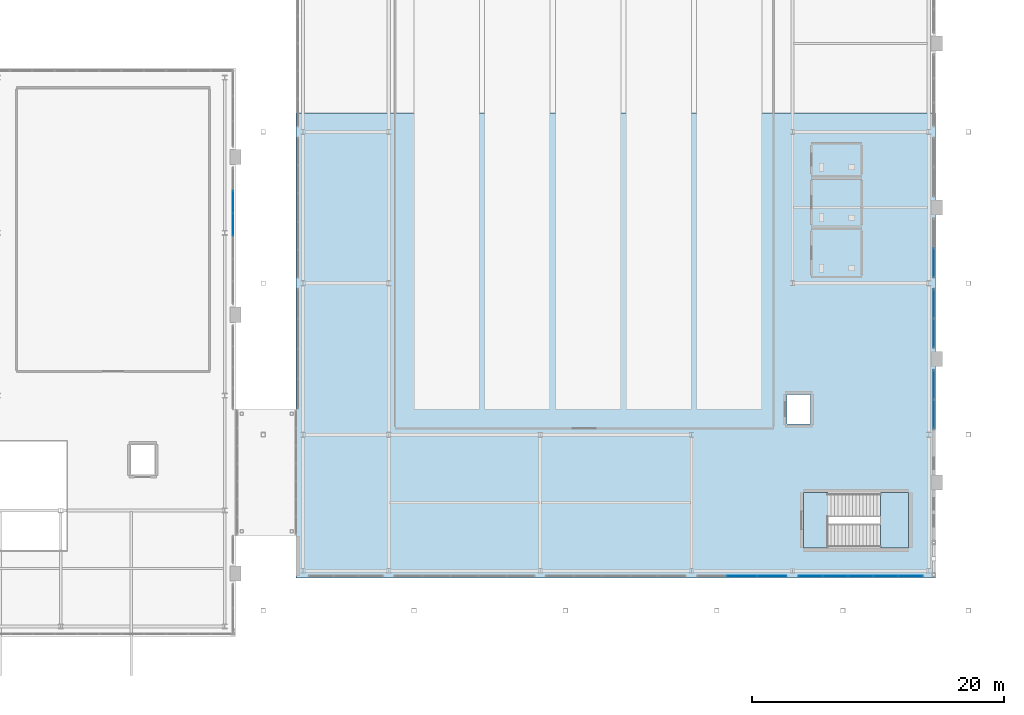
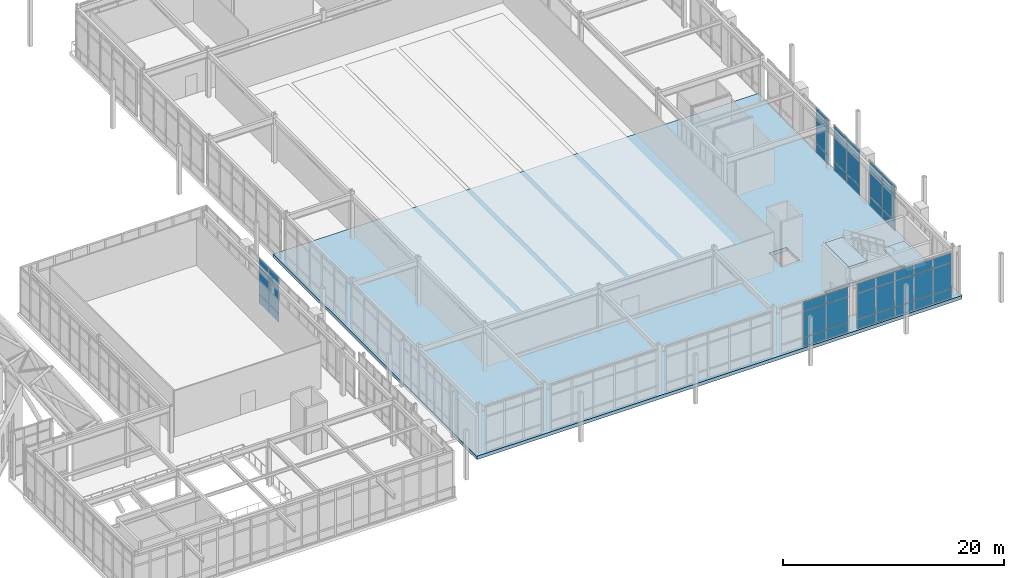
# One storey, part 112 of 159: 42 plates, 3 slabs, 7 elements without a shape of their own.
"""IFC4 building model written with IfcOpenShell, lengths in metres."""

from ifc_helpers import new_model, si_unit, derived_unit, direction, frame, origin, origin_2d, place, context, subcontext, project, spatial, polyline, rectangle, outline, extrude, material, layer, layer_set, type_object, element, aggregate, save


model = new_model("IFC4")

# Units and contexts
model_context = context("Model", 3, precision=1e-05, world=origin(), true_north=direction((0.0, 1.0)))
body_context = subcontext(model_context, "Body", "Model", "MODEL_VIEW")
ifc_project = project(units=[si_unit("LENGTHUNIT", "METRE"), si_unit("AREAUNIT", "SQUARE_METRE"), si_unit("VOLUMEUNIT", "CUBIC_METRE"), si_unit("PLANEANGLEUNIT", "RADIAN"), si_unit("MASSUNIT", "GRAM", prefix="KILO"), derived_unit("THERMALTRANSMITTANCEUNIT", [(si_unit("MASSUNIT", "GRAM", prefix="KILO"), 1), (si_unit("TIMEUNIT", "SECOND"), -3), (si_unit("THERMODYNAMICTEMPERATUREUNIT", "KELVIN"), -1)])], contexts=[model_context])

# Site, building, storey
site_placement = place(None, origin())
site = spatial("IfcSite", under=ifc_project, at=site_placement, CompositionType="ELEMENT")
building_placement = place(site_placement, origin())
building = spatial("IfcBuilding", under=site, at=building_placement, Name="Valcora Ridge Arena", CompositionType="ELEMENT")
storey_placement = place(building_placement, frame((0.0, 0.0, 6.0)))
storey = spatial("IfcBuildingStorey", under=building, at=storey_placement, Name="L01", CompositionType="ELEMENT", Elevation=6.0)

# Stair, slabs
ifc_material_1 = material(Name="Concrete C40/50", Category="concrete")
stair_type = type_object("IfcStairType", Name="TY-STAIR-ST11-54", PredefinedType="HALF_TURN_STAIR", material=ifc_material_1)
stair_placement = place(storey_placement, origin())
stair = element("IfcStair", 1, at=stair_placement, inside=storey, type_object=stair_type, Name="ST11-54 STR-CR-0046", PredefinedType="HALF_TURN_STAIR")
ifc_layer_1 = layer(ifc_material_1, 0.199951171875, Name="Concrete C40/50")
ifc_layer_set_1 = layer_set([ifc_layer_1], Name="Concrete C40/50")
slab_type_1 = type_object("IfcSlabType", Name="TY-LAND-ST11-54", PredefinedType="LANDING", material=ifc_layer_set_1)
slab_1_placement = place(storey_placement, frame((0.0, 0.0, 2.5)))
slab_1 = element("IfcSlab", 2, at=slab_1_placement, type_object=slab_type_1, Name="ST11-54 landing 1", PredefinedType="LANDING", context=body_context, shape_type="SweptSolid", body=[
    extrude(outline(polyline([(182.969970703125, 7.001953125), (185.197998046875, 7.001953125), (185.197998046875, 11.39794921875), (182.969970703125, 11.39794921875), (182.969970703125, 7.001953125)])), origin(), (0.0, 0.0, 1.0), 0.199951171875),
])
slab_2_placement = place(storey_placement, frame((0.0, 0.0, 5.199951171875)))
slab_2 = element("IfcSlab", 3, at=slab_2_placement, type_object=slab_type_1, Name="ST11-54 landing 2", PredefinedType="LANDING", context=body_context, shape_type="SweptSolid", body=[
    extrude(outline(polyline([(176.882080078125, 7.001953125), (178.81005859375, 7.001953125), (178.81005859375, 11.39794921875), (176.882080078125, 11.39794921875), (176.882080078125, 7.001953125)])), origin(), (0.0, 0.0, 1.0), 0.199951171875),
])
aggregate(stair, [slab_1, slab_2])

# Curtain wall, plates
ifc_material_2 = material(Name="Anodised dark bronze architectural aluminium 6063-T6", Category="aluminium")
ifc_layer_2 = layer(ifc_material_2, 0.179931640625, Name="Anodised dark bronze architectural aluminium 6063-T6")
ifc_layer_set_2 = layer_set([ifc_layer_2], Name="Anodised dark bronze architectural aluminium 6063-T6")
curtain_wall_type_1 = type_object("IfcCurtainWallType", Name="TY-CURTAINWALL-CW-V3-LANCET-108X51", PredefinedType="NOTDEFINED", material=ifc_layer_set_2)
curtain_wall_1_placement = place(storey_placement, origin())
curtain_wall_1 = element("IfcCurtainWall", 4, at=curtain_wall_1_placement, inside=storey, type_object=curtain_wall_type_1, Name="CW-V3-LANCET-108X51 CW-0015", PredefinedType="NOTDEFINED")
ifc_material_3 = material(Name="Low-iron solar-control double glazing SHGC 0.28", Category="glass")
ifc_layer_3 = layer(ifc_material_3, 0.031982421875, Name="Low-iron solar-control double glazing SHGC 0.28")
ifc_layer_set_3 = layer_set([ifc_layer_3], Name="Low-iron solar-control double glazing SHGC 0.28")
plate_type_1 = type_object("IfcPlateType", Name="TY-PLT-CWP-1743X0960", PredefinedType="CURTAIN_PANEL", material=ifc_layer_set_3)
plate_1_placement = place(storey_placement, frame((131.64990234375, 32.651611328125, 0.06005859375), z_axis=(0.0, 0.0, 1.0), x_axis=(0.0, 1.0, 0.0)))
plate_1 = element("IfcPlate", 5, at=plate_1_placement, type_object=plate_type_1, Name="CW-0015/P03-00", PredefinedType="CURTAIN_PANEL", context=body_context, shape_type="SweptSolid", body=[
    extrude(rectangle(XDim=1.742919921875, YDim=0.031982421875, at=origin_2d()), origin(), (0.0, 0.0, 1.0), 0.9599609375),
])
ifc_layer_4 = layer(ifc_material_3, 0.031982421875, Name="Low-iron solar-control double glazing SHGC 0.28")
ifc_layer_set_4 = layer_set([ifc_layer_4], Name="Low-iron solar-control double glazing SHGC 0.28")
plate_type_2 = type_object("IfcPlateType", Name="TY-PLT-CWP-1743X1010", PredefinedType="CURTAIN_PANEL", material=ifc_layer_set_4)
plate_2_placement = place(storey_placement, frame((131.64990234375, 32.651611328125, 4.02978515625), z_axis=(0.0, 0.0, 1.0), x_axis=(0.0, 1.0, 0.0)))
plate_2 = element("IfcPlate", 6, at=plate_2_placement, type_object=plate_type_2, Name="CW-0015/P03-02", PredefinedType="CURTAIN_PANEL", context=body_context, shape_type="SweptSolid", body=[
    extrude(rectangle(XDim=1.742919921875, YDim=0.031982421875, at=origin_2d()), origin(), (0.0, 0.0, 1.0), 1.010009765625),
])
ifc_layer_5 = layer(ifc_material_3, 0.031982421875, Name="Low-iron solar-control double glazing SHGC 0.28")
ifc_layer_set_5 = layer_set([ifc_layer_5], Name="Low-iron solar-control double glazing SHGC 0.28")
plate_type_3 = type_object("IfcPlateType", Name="TY-PLT-CWP-1743X2890", PredefinedType="CURTAIN_PANEL", material=ifc_layer_set_5)
plate_3_placement = place(storey_placement, frame((131.64990234375, 32.651611328125, 1.080078125), z_axis=(0.0, 0.0, 1.0), x_axis=(0.0, 1.0, 0.0)))
plate_3 = element("IfcPlate", 7, at=plate_3_placement, type_object=plate_type_3, Name="CW-0015/P03-01", PredefinedType="CURTAIN_PANEL", context=body_context, shape_type="SweptSolid", body=[
    extrude(rectangle(XDim=1.742919921875, YDim=0.031982421875, at=origin_2d()), origin(), (0.0, 0.0, 1.0), 2.889892578125),
])
ifc_layer_6 = layer(ifc_material_3, 0.031982421875, Name="Low-iron solar-control double glazing SHGC 0.28")
ifc_layer_set_6 = layer_set([ifc_layer_6], Name="Low-iron solar-control double glazing SHGC 0.28")
plate_type_4 = type_object("IfcPlateType", Name="TY-PLT-CWP-1744X0960", PredefinedType="CURTAIN_PANEL", material=ifc_layer_set_6)
plate_4_placement = place(storey_placement, frame((131.64990234375, 34.455078125, 0.06005859375), z_axis=(0.0, 0.0, 1.0), x_axis=(0.0, 1.0, 0.0)))
plate_4 = element("IfcPlate", 8, at=plate_4_placement, type_object=plate_type_4, Name="CW-0015/P04-00", PredefinedType="CURTAIN_PANEL", context=body_context, shape_type="SweptSolid", body=[
    extrude(rectangle(XDim=1.743896484375, YDim=0.031982421875, at=origin_2d()), origin(), (0.0, 0.0, 1.0), 0.9599609375),
])
ifc_layer_7 = layer(ifc_material_3, 0.031982421875, Name="Low-iron solar-control double glazing SHGC 0.28")
ifc_layer_set_7 = layer_set([ifc_layer_7], Name="Low-iron solar-control double glazing SHGC 0.28")
plate_type_5 = type_object("IfcPlateType", Name="TY-PLT-CWP-1744X1010", PredefinedType="CURTAIN_PANEL", material=ifc_layer_set_7)
plate_5_placement = place(storey_placement, frame((131.64990234375, 34.455078125, 4.02978515625), z_axis=(0.0, 0.0, 1.0), x_axis=(0.0, 1.0, 0.0)))
plate_5 = element("IfcPlate", 9, at=plate_5_placement, type_object=plate_type_5, Name="CW-0015/P04-02", PredefinedType="CURTAIN_PANEL", context=body_context, shape_type="SweptSolid", body=[
    extrude(rectangle(XDim=1.743896484375, YDim=0.031982421875, at=origin_2d()), origin(), (0.0, 0.0, 1.0), 1.010009765625),
])
ifc_layer_8 = layer(ifc_material_3, 0.031982421875, Name="Low-iron solar-control double glazing SHGC 0.28")
ifc_layer_set_8 = layer_set([ifc_layer_8], Name="Low-iron solar-control double glazing SHGC 0.28")
plate_type_6 = type_object("IfcPlateType", Name="TY-PLT-CWP-1744X2890", PredefinedType="CURTAIN_PANEL", material=ifc_layer_set_8)
plate_6_placement = place(storey_placement, frame((131.64990234375, 34.455078125, 1.080078125), z_axis=(0.0, 0.0, 1.0), x_axis=(0.0, 1.0, 0.0)))
plate_6 = element("IfcPlate", 10, at=plate_6_placement, type_object=plate_type_6, Name="CW-0015/P04-01", PredefinedType="CURTAIN_PANEL", context=body_context, shape_type="SweptSolid", body=[
    extrude(rectangle(XDim=1.743896484375, YDim=0.031982421875, at=origin_2d()), origin(), (0.0, 0.0, 1.0), 2.889892578125),
])
aggregate(curtain_wall_1, [plate_1, plate_3, plate_2, plate_4, plate_6, plate_5])

ifc_layer_9 = layer(ifc_material_2, 0.179931640625, Name="Anodised dark bronze architectural aluminium 6063-T6")
ifc_layer_set_9 = layer_set([ifc_layer_9], Name="Anodised dark bronze architectural aluminium 6063-T6")
curtain_wall_type_2 = type_object("IfcCurtainWallType", Name="TY-CURTAINWALL-CW-V2-GLAZ-099X50", PredefinedType="NOTDEFINED", material=ifc_layer_set_9)
curtain_wall_2_placement = place(storey_placement, origin())
curtain_wall_2 = element("IfcCurtainWall", 11, at=curtain_wall_2_placement, inside=storey, type_object=curtain_wall_type_2, Name="CW-V2-GLAZ-099X50 CW-0048", PredefinedType="NOTDEFINED")
ifc_layer_10 = layer(ifc_material_3, 0.028076171875, Name="Low-iron solar-control double glazing SHGC 0.28")
ifc_layer_set_10 = layer_set([ifc_layer_10], Name="Low-iron solar-control double glazing SHGC 0.28")
plate_type_7 = type_object("IfcPlateType", Name="TY-PLT-CWP-1899X0975", PredefinedType="CURTAIN_PANEL", material=ifc_layer_set_10)
plate_7_placement = place(storey_placement, frame((177.4365234375, 4.800048828125, 0.050048828125), z_axis=(0.0, 0.0, 1.0), x_axis=(1.0, 0.0, 0.0)))
plate_7 = element("IfcPlate", 12, at=plate_7_placement, type_object=plate_type_7, Name="CW-0048/P00-00", PredefinedType="CURTAIN_PANEL", context=body_context, shape_type="SweptSolid", body=[
    extrude(rectangle(XDim=1.89892578125, YDim=0.028076171875, at=origin_2d()), origin(), (0.0, 0.0, 1.0), 0.97509765625),
])
plate_8_placement = place(storey_placement, frame((185.363525390625, 4.800048828125, 0.050048828125), z_axis=(0.0, 0.0, 1.0), x_axis=(1.0, 0.0, 0.0)))
plate_8 = element("IfcPlate", 13, at=plate_8_placement, type_object=plate_type_7, Name="CW-0048/P04-00", PredefinedType="CURTAIN_PANEL", context=body_context, shape_type="SweptSolid", body=[
    extrude(rectangle(XDim=1.89892578125, YDim=0.028076171875, at=origin_2d()), origin(), (0.0, 0.0, 1.0), 0.97509765625),
])
ifc_layer_11 = layer(ifc_material_3, 0.028076171875, Name="Low-iron solar-control double glazing SHGC 0.28")
ifc_layer_set_11 = layer_set([ifc_layer_11], Name="Low-iron solar-control double glazing SHGC 0.28")
plate_type_8 = type_object("IfcPlateType", Name="TY-PLT-CWP-1899X1025", PredefinedType="CURTAIN_PANEL", material=ifc_layer_set_11)
plate_9_placement = place(storey_placement, frame((177.4365234375, 4.800048828125, 3.965087890625), z_axis=(0.0, 0.0, 1.0), x_axis=(1.0, 0.0, 0.0)))
plate_9 = element("IfcPlate", 14, at=plate_9_placement, type_object=plate_type_8, Name="CW-0048/P00-02", PredefinedType="CURTAIN_PANEL", context=body_context, shape_type="SweptSolid", body=[
    extrude(rectangle(XDim=1.89892578125, YDim=0.028076171875, at=origin_2d()), origin(), (0.0, 0.0, 1.0), 1.02490234375),
])
plate_10_placement = place(storey_placement, frame((185.363525390625, 4.800048828125, 3.965087890625), z_axis=(0.0, 0.0, 1.0), x_axis=(1.0, 0.0, 0.0)))
plate_10 = element("IfcPlate", 15, at=plate_10_placement, type_object=plate_type_8, Name="CW-0048/P04-02", PredefinedType="CURTAIN_PANEL", context=body_context, shape_type="SweptSolid", body=[
    extrude(rectangle(XDim=1.89892578125, YDim=0.028076171875, at=origin_2d()), origin(), (0.0, 0.0, 1.0), 1.02490234375),
])
ifc_layer_12 = layer(ifc_material_3, 0.028076171875, Name="Low-iron solar-control double glazing SHGC 0.28")
ifc_layer_set_12 = layer_set([ifc_layer_12], Name="Low-iron solar-control double glazing SHGC 0.28")
plate_type_9 = type_object("IfcPlateType", Name="TY-PLT-CWP-1899X2840", PredefinedType="CURTAIN_PANEL", material=ifc_layer_set_12)
plate_11_placement = place(storey_placement, frame((177.4365234375, 4.800048828125, 1.0751953125), z_axis=(0.0, 0.0, 1.0), x_axis=(1.0, 0.0, 0.0)))
plate_11 = element("IfcPlate", 16, at=plate_11_placement, type_object=plate_type_9, Name="CW-0048/P00-01", PredefinedType="CURTAIN_PANEL", context=body_context, shape_type="SweptSolid", body=[
    extrude(rectangle(XDim=1.89892578125, YDim=0.028076171875, at=origin_2d()), origin(), (0.0, 0.0, 1.0), 2.840087890625),
])
plate_12_placement = place(storey_placement, frame((185.363525390625, 4.800048828125, 1.0751953125), z_axis=(0.0, 0.0, 1.0), x_axis=(1.0, 0.0, 0.0)))
plate_12 = element("IfcPlate", 17, at=plate_12_placement, type_object=plate_type_9, Name="CW-0048/P04-01", PredefinedType="CURTAIN_PANEL", context=body_context, shape_type="SweptSolid", body=[
    extrude(rectangle(XDim=1.89892578125, YDim=0.028076171875, at=origin_2d()), origin(), (0.0, 0.0, 1.0), 2.840087890625),
])
ifc_layer_13 = layer(ifc_material_3, 0.028076171875, Name="Low-iron solar-control double glazing SHGC 0.28")
ifc_layer_set_13 = layer_set([ifc_layer_13], Name="Low-iron solar-control double glazing SHGC 0.28")
plate_type_10 = type_object("IfcPlateType", Name="TY-PLT-CWP-1929X0975", PredefinedType="CURTAIN_PANEL", material=ifc_layer_set_13)
plate_13_placement = place(storey_placement, frame((179.410400390625, 4.800048828125, 0.050048828125), z_axis=(0.0, 0.0, 1.0), x_axis=(1.0, 0.0, 0.0)))
plate_13 = element("IfcPlate", 18, at=plate_13_placement, type_object=plate_type_10, Name="CW-0048/P01-00", PredefinedType="CURTAIN_PANEL", context=body_context, shape_type="SweptSolid", body=[
    extrude(rectangle(XDim=1.928955078125, YDim=0.028076171875, at=origin_2d()), origin(), (0.0, 0.0, 1.0), 0.97509765625),
])
plate_14_placement = place(storey_placement, frame((183.389404296875, 4.800048828125, 0.050048828125), z_axis=(0.0, 0.0, 1.0), x_axis=(1.0, 0.0, 0.0)))
plate_14 = element("IfcPlate", 19, at=plate_14_placement, type_object=plate_type_10, Name="CW-0048/P03-00", PredefinedType="CURTAIN_PANEL", context=body_context, shape_type="SweptSolid", body=[
    extrude(rectangle(XDim=1.928955078125, YDim=0.028076171875, at=origin_2d()), origin(), (0.0, 0.0, 1.0), 0.97509765625),
])
ifc_layer_14 = layer(ifc_material_3, 0.028076171875, Name="Low-iron solar-control double glazing SHGC 0.28")
ifc_layer_set_14 = layer_set([ifc_layer_14], Name="Low-iron solar-control double glazing SHGC 0.28")
plate_type_11 = type_object("IfcPlateType", Name="TY-PLT-CWP-1929X1025", PredefinedType="CURTAIN_PANEL", material=ifc_layer_set_14)
plate_15_placement = place(storey_placement, frame((179.410400390625, 4.800048828125, 3.965087890625), z_axis=(0.0, 0.0, 1.0), x_axis=(1.0, 0.0, 0.0)))
plate_15 = element("IfcPlate", 20, at=plate_15_placement, type_object=plate_type_11, Name="CW-0048/P01-02", PredefinedType="CURTAIN_PANEL", context=body_context, shape_type="SweptSolid", body=[
    extrude(rectangle(XDim=1.928955078125, YDim=0.028076171875, at=origin_2d()), origin(), (0.0, 0.0, 1.0), 1.02490234375),
])
plate_16_placement = place(storey_placement, frame((183.389404296875, 4.800048828125, 3.965087890625), z_axis=(0.0, 0.0, 1.0), x_axis=(1.0, 0.0, 0.0)))
plate_16 = element("IfcPlate", 21, at=plate_16_placement, type_object=plate_type_11, Name="CW-0048/P03-02", PredefinedType="CURTAIN_PANEL", context=body_context, shape_type="SweptSolid", body=[
    extrude(rectangle(XDim=1.928955078125, YDim=0.028076171875, at=origin_2d()), origin(), (0.0, 0.0, 1.0), 1.02490234375),
])
ifc_layer_15 = layer(ifc_material_3, 0.028076171875, Name="Low-iron solar-control double glazing SHGC 0.28")
ifc_layer_set_15 = layer_set([ifc_layer_15], Name="Low-iron solar-control double glazing SHGC 0.28")
plate_type_12 = type_object("IfcPlateType", Name="TY-PLT-CWP-1929X2840", PredefinedType="CURTAIN_PANEL", material=ifc_layer_set_15)
plate_17_placement = place(storey_placement, frame((179.410400390625, 4.800048828125, 1.0751953125), z_axis=(0.0, 0.0, 1.0), x_axis=(1.0, 0.0, 0.0)))
plate_17 = element("IfcPlate", 22, at=plate_17_placement, type_object=plate_type_12, Name="CW-0048/P01-01", PredefinedType="CURTAIN_PANEL", context=body_context, shape_type="SweptSolid", body=[
    extrude(rectangle(XDim=1.928955078125, YDim=0.028076171875, at=origin_2d()), origin(), (0.0, 0.0, 1.0), 2.840087890625),
])
plate_18_placement = place(storey_placement, frame((183.389404296875, 4.800048828125, 1.0751953125), z_axis=(0.0, 0.0, 1.0), x_axis=(1.0, 0.0, 0.0)))
plate_18 = element("IfcPlate", 23, at=plate_18_placement, type_object=plate_type_12, Name="CW-0048/P03-01", PredefinedType="CURTAIN_PANEL", context=body_context, shape_type="SweptSolid", body=[
    extrude(rectangle(XDim=1.928955078125, YDim=0.028076171875, at=origin_2d()), origin(), (0.0, 0.0, 1.0), 2.840087890625),
])
ifc_layer_16 = layer(ifc_material_3, 0.028076171875, Name="Low-iron solar-control double glazing SHGC 0.28")
ifc_layer_set_16 = layer_set([ifc_layer_16], Name="Low-iron solar-control double glazing SHGC 0.28")
plate_type_13 = type_object("IfcPlateType", Name="TY-PLT-CWP-1930X0975", PredefinedType="CURTAIN_PANEL", material=ifc_layer_set_16)
plate_19_placement = place(storey_placement, frame((181.39990234375, 4.800048828125, 0.050048828125), z_axis=(0.0, 0.0, 1.0), x_axis=(1.0, 0.0, 0.0)))
plate_19 = element("IfcPlate", 24, at=plate_19_placement, type_object=plate_type_13, Name="CW-0048/P02-00", PredefinedType="CURTAIN_PANEL", context=body_context, shape_type="SweptSolid", body=[
    extrude(rectangle(XDim=1.929931640625, YDim=0.028076171875, at=origin_2d()), origin(), (0.0, 0.0, 1.0), 0.97509765625),
])
ifc_layer_17 = layer(ifc_material_3, 0.028076171875, Name="Low-iron solar-control double glazing SHGC 0.28")
ifc_layer_set_17 = layer_set([ifc_layer_17], Name="Low-iron solar-control double glazing SHGC 0.28")
plate_type_14 = type_object("IfcPlateType", Name="TY-PLT-CWP-1930X1025", PredefinedType="CURTAIN_PANEL", material=ifc_layer_set_17)
plate_20_placement = place(storey_placement, frame((181.39990234375, 4.800048828125, 3.965087890625), z_axis=(0.0, 0.0, 1.0), x_axis=(1.0, 0.0, 0.0)))
plate_20 = element("IfcPlate", 25, at=plate_20_placement, type_object=plate_type_14, Name="CW-0048/P02-02", PredefinedType="CURTAIN_PANEL", context=body_context, shape_type="SweptSolid", body=[
    extrude(rectangle(XDim=1.929931640625, YDim=0.028076171875, at=origin_2d()), origin(), (0.0, 0.0, 1.0), 1.02490234375),
])
ifc_layer_18 = layer(ifc_material_3, 0.028076171875, Name="Low-iron solar-control double glazing SHGC 0.28")
ifc_layer_set_18 = layer_set([ifc_layer_18], Name="Low-iron solar-control double glazing SHGC 0.28")
plate_type_15 = type_object("IfcPlateType", Name="TY-PLT-CWP-1930X2840", PredefinedType="CURTAIN_PANEL", material=ifc_layer_set_18)
plate_21_placement = place(storey_placement, frame((181.39990234375, 4.800048828125, 1.0751953125), z_axis=(0.0, 0.0, 1.0), x_axis=(1.0, 0.0, 0.0)))
plate_21 = element("IfcPlate", 26, at=plate_21_placement, type_object=plate_type_15, Name="CW-0048/P02-01", PredefinedType="CURTAIN_PANEL", context=body_context, shape_type="SweptSolid", body=[
    extrude(rectangle(XDim=1.929931640625, YDim=0.028076171875, at=origin_2d()), origin(), (0.0, 0.0, 1.0), 2.840087890625),
])
aggregate(curtain_wall_2, [plate_7, plate_11, plate_9, plate_13, plate_17, plate_15, plate_19, plate_21, plate_20, plate_14, plate_18, plate_16, plate_8, plate_12, plate_10])

# Curtain wall, plate
ifc_layer_19 = layer(ifc_material_2, 0.179931640625, Name="Anodised dark bronze architectural aluminium 6063-T6")
ifc_layer_set_19 = layer_set([ifc_layer_19], Name="Anodised dark bronze architectural aluminium 6063-T6")
curtain_wall_type_3 = type_object("IfcCurtainWallType", Name="TY-CURTAINWALL-CW-V2-GLAZ-047X50", PredefinedType="NOTDEFINED", material=ifc_layer_set_19)
curtain_wall_3_placement = place(storey_placement, origin())
curtain_wall_3 = element("IfcCurtainWall", 27, at=curtain_wall_3_placement, inside=storey, type_object=curtain_wall_type_3, Name="CW-V2-GLAZ-047X50 CW-0049", PredefinedType="NOTDEFINED")
ifc_layer_20 = layer(ifc_material_3, 0.028076171875, Name="Low-iron solar-control double glazing SHGC 0.28")
ifc_layer_set_20 = layer_set([ifc_layer_20], Name="Low-iron solar-control double glazing SHGC 0.28")
plate_type_16 = type_object("IfcPlateType", Name="TY-PLT-CWP-2276X0975", PredefinedType="CURTAIN_PANEL", material=ifc_layer_set_20)
plate_22_placement = place(storey_placement, frame((187.199951171875, 19.96142578125, 0.050048828125), z_axis=(0.0, 0.0, 1.0), x_axis=(0.0, 1.0, 0.0)))
plate_22 = element("IfcPlate", 28, at=plate_22_placement, type_object=plate_type_16, Name="CW-0049/P01-00", PredefinedType="CURTAIN_PANEL", context=body_context, shape_type="SweptSolid", body=[
    extrude(rectangle(XDim=2.27587890625, YDim=0.028076171875, at=origin_2d()), origin(), (0.0, 0.0, 1.0), 0.97509765625),
])

curtain_wall_4_placement = place(storey_placement, origin())
curtain_wall_4 = element("IfcCurtainWall", 29, at=curtain_wall_4_placement, inside=storey, type_object=curtain_wall_type_3, Name="CW-V2-GLAZ-047X50 CW-0050", PredefinedType="NOTDEFINED")
plate_23_placement = place(storey_placement, frame((187.199951171875, 26.375, 0.050048828125), z_axis=(0.0, 0.0, 1.0), x_axis=(0.0, 1.0, 0.0)))
plate_23 = element("IfcPlate", 30, at=plate_23_placement, type_object=plate_type_16, Name="CW-0050/P01-00", PredefinedType="CURTAIN_PANEL", context=body_context, shape_type="SweptSolid", body=[
    extrude(rectangle(XDim=2.27587890625, YDim=0.028076171875, at=origin_2d()), origin(), (0.0, 0.0, 1.0), 0.97509765625),
])

# Plate
ifc_layer_21 = layer(ifc_material_3, 0.028076171875, Name="Low-iron solar-control double glazing SHGC 0.28")
ifc_layer_set_21 = layer_set([ifc_layer_21], Name="Low-iron solar-control double glazing SHGC 0.28")
plate_type_17 = type_object("IfcPlateType", Name="TY-PLT-CWP-2276X1025", PredefinedType="CURTAIN_PANEL", material=ifc_layer_set_21)
plate_24_placement = place(storey_placement, frame((187.199951171875, 19.96142578125, 3.965087890625), z_axis=(0.0, 0.0, 1.0), x_axis=(0.0, 1.0, 0.0)))
plate_24 = element("IfcPlate", 31, at=plate_24_placement, type_object=plate_type_17, Name="CW-0049/P01-02", PredefinedType="CURTAIN_PANEL", context=body_context, shape_type="SweptSolid", body=[
    extrude(rectangle(XDim=2.27587890625, YDim=0.028076171875, at=origin_2d()), origin(), (0.0, 0.0, 1.0), 1.02490234375),
])

plate_25_placement = place(storey_placement, frame((187.199951171875, 26.375, 3.965087890625), z_axis=(0.0, 0.0, 1.0), x_axis=(0.0, 1.0, 0.0)))
plate_25 = element("IfcPlate", 32, at=plate_25_placement, type_object=plate_type_17, Name="CW-0050/P01-02", PredefinedType="CURTAIN_PANEL", context=body_context, shape_type="SweptSolid", body=[
    extrude(rectangle(XDim=2.27587890625, YDim=0.028076171875, at=origin_2d()), origin(), (0.0, 0.0, 1.0), 1.02490234375),
])

ifc_layer_22 = layer(ifc_material_3, 0.028076171875, Name="Low-iron solar-control double glazing SHGC 0.28")
ifc_layer_set_22 = layer_set([ifc_layer_22], Name="Low-iron solar-control double glazing SHGC 0.28")
plate_type_18 = type_object("IfcPlateType", Name="TY-PLT-CWP-2276X2840", PredefinedType="CURTAIN_PANEL", material=ifc_layer_set_22)
plate_26_placement = place(storey_placement, frame((187.199951171875, 19.96142578125, 1.0751953125), z_axis=(0.0, 0.0, 1.0), x_axis=(0.0, 1.0, 0.0)))
plate_26 = element("IfcPlate", 33, at=plate_26_placement, type_object=plate_type_18, Name="CW-0049/P01-01", PredefinedType="CURTAIN_PANEL", context=body_context, shape_type="SweptSolid", body=[
    extrude(rectangle(XDim=2.27587890625, YDim=0.028076171875, at=origin_2d()), origin(), (0.0, 0.0, 1.0), 2.840087890625),
])

plate_27_placement = place(storey_placement, frame((187.199951171875, 26.375, 1.0751953125), z_axis=(0.0, 0.0, 1.0), x_axis=(0.0, 1.0, 0.0)))
plate_27 = element("IfcPlate", 34, at=plate_27_placement, type_object=plate_type_18, Name="CW-0050/P01-01", PredefinedType="CURTAIN_PANEL", context=body_context, shape_type="SweptSolid", body=[
    extrude(rectangle(XDim=2.27587890625, YDim=0.028076171875, at=origin_2d()), origin(), (0.0, 0.0, 1.0), 2.840087890625),
])

ifc_layer_23 = layer(ifc_material_3, 0.028076171875, Name="Low-iron solar-control double glazing SHGC 0.28")
ifc_layer_set_23 = layer_set([ifc_layer_23], Name="Low-iron solar-control double glazing SHGC 0.28")
plate_type_19 = type_object("IfcPlateType", Name="TY-PLT-CWP-2277X0975", PredefinedType="CURTAIN_PANEL", material=ifc_layer_set_23)
plate_28_placement = place(storey_placement, frame((187.199951171875, 17.625, 0.050048828125), z_axis=(0.0, 0.0, 1.0), x_axis=(0.0, 1.0, 0.0)))
plate_28 = element("IfcPlate", 35, at=plate_28_placement, type_object=plate_type_19, Name="CW-0049/P00-00", PredefinedType="CURTAIN_PANEL", context=body_context, shape_type="SweptSolid", body=[
    extrude(rectangle(XDim=2.277099609375, YDim=0.028076171875, at=origin_2d()), origin(), (0.0, 0.0, 1.0), 0.97509765625),
])

plate_29_placement = place(storey_placement, frame((187.199951171875, 24.03857421875, 0.050048828125), z_axis=(0.0, 0.0, 1.0), x_axis=(0.0, 1.0, 0.0)))
plate_29 = element("IfcPlate", 36, at=plate_29_placement, type_object=plate_type_19, Name="CW-0050/P00-00", PredefinedType="CURTAIN_PANEL", context=body_context, shape_type="SweptSolid", body=[
    extrude(rectangle(XDim=2.277099609375, YDim=0.028076171875, at=origin_2d()), origin(), (0.0, 0.0, 1.0), 0.97509765625),
])

# Curtain wall, plate
curtain_wall_5_placement = place(storey_placement, origin())
curtain_wall_5 = element("IfcCurtainWall", 37, at=curtain_wall_5_placement, inside=storey, type_object=curtain_wall_type_3, Name="CW-V2-GLAZ-047X50 CW-0051", PredefinedType="NOTDEFINED")
plate_30_placement = place(storey_placement, frame((187.199951171875, 29.625, 0.050048828125), z_axis=(0.0, 0.0, 1.0), x_axis=(0.0, 1.0, 0.0)))
plate_30 = element("IfcPlate", 38, at=plate_30_placement, type_object=plate_type_19, Name="CW-0051/P00-00", PredefinedType="CURTAIN_PANEL", context=body_context, shape_type="SweptSolid", body=[
    extrude(rectangle(XDim=2.277099609375, YDim=0.028076171875, at=origin_2d()), origin(), (0.0, 0.0, 1.0), 0.97509765625),
])

# Plate
ifc_layer_24 = layer(ifc_material_3, 0.028076171875, Name="Low-iron solar-control double glazing SHGC 0.28")
ifc_layer_set_24 = layer_set([ifc_layer_24], Name="Low-iron solar-control double glazing SHGC 0.28")
plate_type_20 = type_object("IfcPlateType", Name="TY-PLT-CWP-2277X1025", PredefinedType="CURTAIN_PANEL", material=ifc_layer_set_24)
plate_31_placement = place(storey_placement, frame((187.199951171875, 17.625, 3.965087890625), z_axis=(0.0, 0.0, 1.0), x_axis=(0.0, 1.0, 0.0)))
plate_31 = element("IfcPlate", 39, at=plate_31_placement, type_object=plate_type_20, Name="CW-0049/P00-02", PredefinedType="CURTAIN_PANEL", context=body_context, shape_type="SweptSolid", body=[
    extrude(rectangle(XDim=2.277099609375, YDim=0.028076171875, at=origin_2d()), origin(), (0.0, 0.0, 1.0), 1.02490234375),
])

plate_32_placement = place(storey_placement, frame((187.199951171875, 24.03857421875, 3.965087890625), z_axis=(0.0, 0.0, 1.0), x_axis=(0.0, 1.0, 0.0)))
plate_32 = element("IfcPlate", 40, at=plate_32_placement, type_object=plate_type_20, Name="CW-0050/P00-02", PredefinedType="CURTAIN_PANEL", context=body_context, shape_type="SweptSolid", body=[
    extrude(rectangle(XDim=2.277099609375, YDim=0.028076171875, at=origin_2d()), origin(), (0.0, 0.0, 1.0), 1.02490234375),
])

plate_33_placement = place(storey_placement, frame((187.199951171875, 29.625, 3.965087890625), z_axis=(0.0, 0.0, 1.0), x_axis=(0.0, 1.0, 0.0)))
plate_33 = element("IfcPlate", 41, at=plate_33_placement, type_object=plate_type_20, Name="CW-0051/P00-02", PredefinedType="CURTAIN_PANEL", context=body_context, shape_type="SweptSolid", body=[
    extrude(rectangle(XDim=2.277099609375, YDim=0.028076171875, at=origin_2d()), origin(), (0.0, 0.0, 1.0), 1.02490234375),
])

ifc_layer_25 = layer(ifc_material_3, 0.028076171875, Name="Low-iron solar-control double glazing SHGC 0.28")
ifc_layer_set_25 = layer_set([ifc_layer_25], Name="Low-iron solar-control double glazing SHGC 0.28")
plate_type_21 = type_object("IfcPlateType", Name="TY-PLT-CWP-2277X2840", PredefinedType="CURTAIN_PANEL", material=ifc_layer_set_25)
plate_34_placement = place(storey_placement, frame((187.199951171875, 17.625, 1.0751953125), z_axis=(0.0, 0.0, 1.0), x_axis=(0.0, 1.0, 0.0)))
plate_34 = element("IfcPlate", 42, at=plate_34_placement, type_object=plate_type_21, Name="CW-0049/P00-01", PredefinedType="CURTAIN_PANEL", context=body_context, shape_type="SweptSolid", body=[
    extrude(rectangle(XDim=2.277099609375, YDim=0.028076171875, at=origin_2d()), origin(), (0.0, 0.0, 1.0), 2.840087890625),
])

aggregate(curtain_wall_3, [plate_28, plate_34, plate_31, plate_22, plate_26, plate_24])

plate_35_placement = place(storey_placement, frame((187.199951171875, 24.03857421875, 1.0751953125), z_axis=(0.0, 0.0, 1.0), x_axis=(0.0, 1.0, 0.0)))
plate_35 = element("IfcPlate", 43, at=plate_35_placement, type_object=plate_type_21, Name="CW-0050/P00-01", PredefinedType="CURTAIN_PANEL", context=body_context, shape_type="SweptSolid", body=[
    extrude(rectangle(XDim=2.277099609375, YDim=0.028076171875, at=origin_2d()), origin(), (0.0, 0.0, 1.0), 2.840087890625),
])

aggregate(curtain_wall_4, [plate_29, plate_35, plate_32, plate_23, plate_27, plate_25])

plate_36_placement = place(storey_placement, frame((187.199951171875, 29.625, 1.0751953125), z_axis=(0.0, 0.0, 1.0), x_axis=(0.0, 1.0, 0.0)))
plate_36 = element("IfcPlate", 44, at=plate_36_placement, type_object=plate_type_21, Name="CW-0051/P00-01", PredefinedType="CURTAIN_PANEL", context=body_context, shape_type="SweptSolid", body=[
    extrude(rectangle(XDim=2.277099609375, YDim=0.028076171875, at=origin_2d()), origin(), (0.0, 0.0, 1.0), 2.840087890625),
])

aggregate(curtain_wall_5, [plate_30, plate_36, plate_33])

# Curtain wall, plates
ifc_layer_26 = layer(ifc_material_2, 0.179931640625, Name="Anodised dark bronze architectural aluminium 6063-T6")
ifc_layer_set_26 = layer_set([ifc_layer_26], Name="Anodised dark bronze architectural aluminium 6063-T6")
curtain_wall_type_4 = type_object("IfcCurtainWallType", Name="TY-CURTAINWALL-CW-V2-GLAZ-071X50", PredefinedType="NOTDEFINED", material=ifc_layer_set_26)
curtain_wall_6_placement = place(storey_placement, origin())
curtain_wall_6 = element("IfcCurtainWall", 45, at=curtain_wall_6_placement, inside=storey, type_object=curtain_wall_type_4, Name="CW-V2-GLAZ-071X50 CW-0047", PredefinedType="NOTDEFINED")
ifc_layer_27 = layer(ifc_material_3, 0.028076171875, Name="Low-iron solar-control double glazing SHGC 0.28")
ifc_layer_set_27 = layer_set([ifc_layer_27], Name="Low-iron solar-control double glazing SHGC 0.28")
plate_type_22 = type_object("IfcPlateType", Name="TY-PLT-CWP-2292X0975", PredefinedType="CURTAIN_PANEL", material=ifc_layer_set_27)
plate_37_placement = place(storey_placement, frame((174.366943359375, 4.800048828125, 0.050048828125), z_axis=(0.0, 0.0, 1.0), x_axis=(1.0, 0.0, 0.0)))
plate_37 = element("IfcPlate", 46, at=plate_37_placement, type_object=plate_type_22, Name="CW-0047/P02-00", PredefinedType="CURTAIN_PANEL", context=body_context, shape_type="SweptSolid", body=[
    extrude(rectangle(XDim=2.2919921875, YDim=0.028076171875, at=origin_2d()), origin(), (0.0, 0.0, 1.0), 0.97509765625),
])
ifc_layer_28 = layer(ifc_material_3, 0.028076171875, Name="Low-iron solar-control double glazing SHGC 0.28")
ifc_layer_set_28 = layer_set([ifc_layer_28], Name="Low-iron solar-control double glazing SHGC 0.28")
plate_type_23 = type_object("IfcPlateType", Name="TY-PLT-CWP-2292X1025", PredefinedType="CURTAIN_PANEL", material=ifc_layer_set_28)
plate_38_placement = place(storey_placement, frame((174.366943359375, 4.800048828125, 3.965087890625), z_axis=(0.0, 0.0, 1.0), x_axis=(1.0, 0.0, 0.0)))
plate_38 = element("IfcPlate", 47, at=plate_38_placement, type_object=plate_type_23, Name="CW-0047/P02-02", PredefinedType="CURTAIN_PANEL", context=body_context, shape_type="SweptSolid", body=[
    extrude(rectangle(XDim=2.2919921875, YDim=0.028076171875, at=origin_2d()), origin(), (0.0, 0.0, 1.0), 1.02490234375),
])
ifc_layer_29 = layer(ifc_material_3, 0.028076171875, Name="Low-iron solar-control double glazing SHGC 0.28")
ifc_layer_set_29 = layer_set([ifc_layer_29], Name="Low-iron solar-control double glazing SHGC 0.28")
plate_type_24 = type_object("IfcPlateType", Name="TY-PLT-CWP-2292X2840", PredefinedType="CURTAIN_PANEL", material=ifc_layer_set_29)
plate_39_placement = place(storey_placement, frame((174.366943359375, 4.800048828125, 1.0751953125), z_axis=(0.0, 0.0, 1.0), x_axis=(1.0, 0.0, 0.0)))
plate_39 = element("IfcPlate", 48, at=plate_39_placement, type_object=plate_type_24, Name="CW-0047/P02-01", PredefinedType="CURTAIN_PANEL", context=body_context, shape_type="SweptSolid", body=[
    extrude(rectangle(XDim=2.2919921875, YDim=0.028076171875, at=origin_2d()), origin(), (0.0, 0.0, 1.0), 2.840087890625),
])
ifc_layer_30 = layer(ifc_material_3, 0.028076171875, Name="Low-iron solar-control double glazing SHGC 0.28")
ifc_layer_set_30 = layer_set([ifc_layer_30], Name="Low-iron solar-control double glazing SHGC 0.28")
plate_type_25 = type_object("IfcPlateType", Name="TY-PLT-CWP-2322X0975", PredefinedType="CURTAIN_PANEL", material=ifc_layer_set_30)
plate_40_placement = place(storey_placement, frame((172.0, 4.800048828125, 0.050048828125), z_axis=(0.0, 0.0, 1.0), x_axis=(1.0, 0.0, 0.0)))
plate_40 = element("IfcPlate", 49, at=plate_40_placement, type_object=plate_type_25, Name="CW-0047/P01-00", PredefinedType="CURTAIN_PANEL", context=body_context, shape_type="SweptSolid", body=[
    extrude(rectangle(XDim=2.322021484375, YDim=0.028076171875, at=origin_2d()), origin(), (0.0, 0.0, 1.0), 0.97509765625),
])
ifc_layer_31 = layer(ifc_material_3, 0.028076171875, Name="Low-iron solar-control double glazing SHGC 0.28")
ifc_layer_set_31 = layer_set([ifc_layer_31], Name="Low-iron solar-control double glazing SHGC 0.28")
plate_type_26 = type_object("IfcPlateType", Name="TY-PLT-CWP-2322X1025", PredefinedType="CURTAIN_PANEL", material=ifc_layer_set_31)
plate_41_placement = place(storey_placement, frame((172.0, 4.800048828125, 3.965087890625), z_axis=(0.0, 0.0, 1.0), x_axis=(1.0, 0.0, 0.0)))
plate_41 = element("IfcPlate", 50, at=plate_41_placement, type_object=plate_type_26, Name="CW-0047/P01-02", PredefinedType="CURTAIN_PANEL", context=body_context, shape_type="SweptSolid", body=[
    extrude(rectangle(XDim=2.322021484375, YDim=0.028076171875, at=origin_2d()), origin(), (0.0, 0.0, 1.0), 1.02490234375),
])
ifc_layer_32 = layer(ifc_material_3, 0.028076171875, Name="Low-iron solar-control double glazing SHGC 0.28")
ifc_layer_set_32 = layer_set([ifc_layer_32], Name="Low-iron solar-control double glazing SHGC 0.28")
plate_type_27 = type_object("IfcPlateType", Name="TY-PLT-CWP-2322X2840", PredefinedType="CURTAIN_PANEL", material=ifc_layer_set_32)
plate_42_placement = place(storey_placement, frame((172.0, 4.800048828125, 1.0751953125), z_axis=(0.0, 0.0, 1.0), x_axis=(1.0, 0.0, 0.0)))
plate_42 = element("IfcPlate", 51, at=plate_42_placement, type_object=plate_type_27, Name="CW-0047/P01-01", PredefinedType="CURTAIN_PANEL", context=body_context, shape_type="SweptSolid", body=[
    extrude(rectangle(XDim=2.322021484375, YDim=0.028076171875, at=origin_2d()), origin(), (0.0, 0.0, 1.0), 2.840087890625),
])
aggregate(curtain_wall_6, [plate_40, plate_42, plate_41, plate_37, plate_39, plate_38])

# Slab
ifc_layer_33 = layer(ifc_material_1, 0.3798828125, Name="Concrete C40/50")
ifc_layer_set_33 = layer_set([ifc_layer_33], Name="Concrete C40/50")
slab_type_2 = type_object("IfcSlabType", Name="TY-SLAB-SL-CRT-380-S", PredefinedType="FLOOR", material=ifc_layer_set_33)
slab_3_placement = place(storey_placement, frame((0.0, 0.0, -0.3798828125)))
element("IfcSlab", 52, at=slab_3_placement, inside=storey, type_object=slab_type_2, Name="SL-CRT-380-S SLB-0053", PredefinedType="FLOOR", context=body_context, shape_type="SweptSolid", body=[
    extrude(outline(polyline([(136.64990234375, 4.64990234375), (187.35009765625, 4.64990234375), (187.35009765625, 41.5), (136.64990234375, 41.5), (136.64990234375, 4.64990234375)]), holes=[polyline([(185.199951171875, 11.39990234375), (176.8798828125, 11.39990234375), (176.8798828125, 7.0), (185.199951171875, 7.0), (185.199951171875, 11.39990234375)]), polyline([(177.419921875, 19.169921875), (175.580078125, 19.169921875), (175.580078125, 16.830078125), (177.419921875, 16.830078125), (177.419921875, 19.169921875)])]), origin(), (0.0, 0.0, 1.0), 0.3798828125),
])

save(model, "model.ifc")
